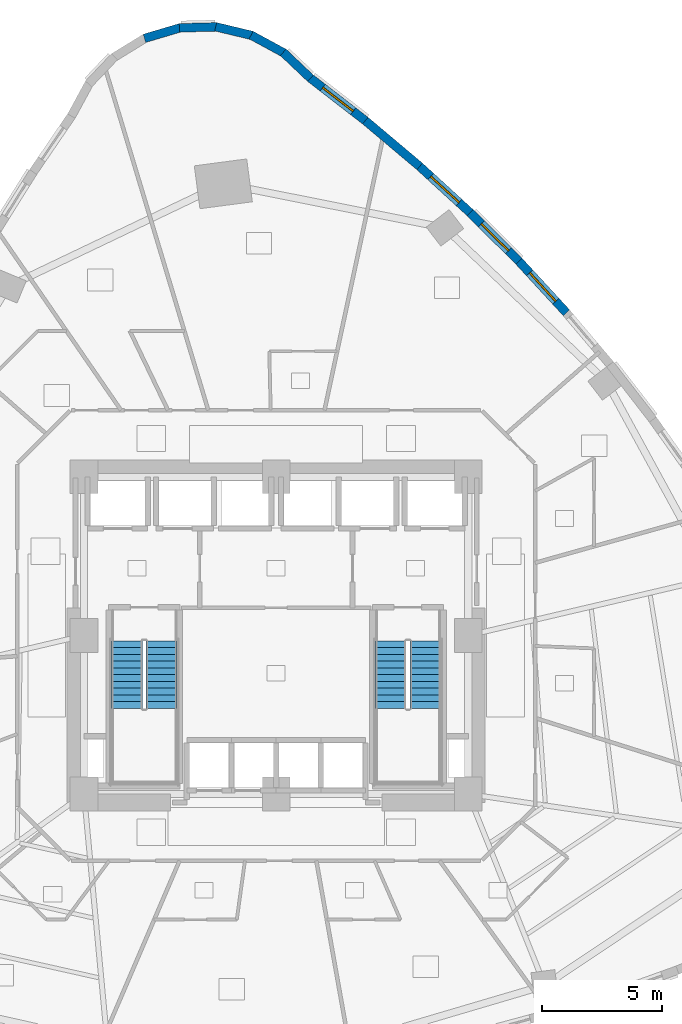
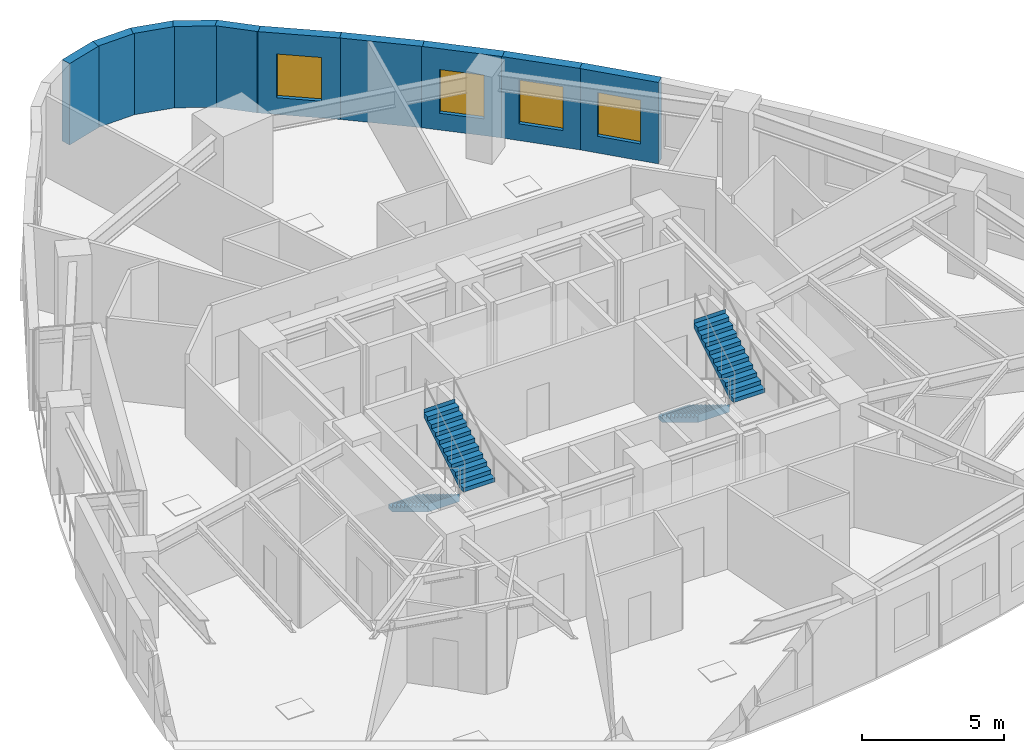
# One storey, part 9 of 12: 10 walls, 4 stair flights, 4 windows, 4 openings, 2 elements without a shape of their own.
"""IFC4 building model written with IfcOpenShell, lengths in metres."""

from ifc_helpers import new_model, si_unit, direction, frame, frame_2d, origin, place, context, subcontext, project, spatial, polyline, rectangle, outline, extrude, material, layer, layer_set, type_object, element, fill, aggregate, save


model = new_model("IFC4")

# Units and contexts
model_context = context("Model", 3, precision=1e-05, world=origin(), true_north=direction((0.0, 1.0)))
body_context = subcontext(model_context, "Body", "Model", "MODEL_VIEW")
ifc_project = project(units=[si_unit("LENGTHUNIT", "METRE"), si_unit("AREAUNIT", "SQUARE_METRE"), si_unit("VOLUMEUNIT", "CUBIC_METRE"), si_unit("PLANEANGLEUNIT", "RADIAN"), si_unit("MASSUNIT", "GRAM", prefix="KILO")], contexts=[model_context])

# Site, building, storey
site_placement = place(None, origin())
site = spatial("IfcSite", under=ifc_project, at=site_placement, CompositionType="ELEMENT")
building_placement = place(site_placement, origin())
building = spatial("IfcBuilding", under=site, at=building_placement, Name="Ndelora Gate Hotel", CompositionType="ELEMENT")
storey_placement = place(building_placement, frame((0.0, 0.0, 68.0)))
storey = spatial("IfcBuildingStorey", under=building, at=storey_placement, Name="L16", CompositionType="ELEMENT", Elevation=68.0)

# Walls
ifc_material_1 = material(Name="Clay Brick Masonry", Category="masonry")
ifc_layer = layer(ifc_material_1, 0.360107421875)
ifc_layer_set = layer_set([ifc_layer], Name="Clay Brick Masonry")
wall_type = type_object("IfcWallType", Name="WL-BRICK-360", PredefinedType="SOLIDWALL", material=ifc_layer_set)
for number, where, z_axis, x_axis, name in (
    (1, (0.29248046875, 24.2734375, 0.0), (0.0, 0.0, 1.0), (0.725361771345, -0.688367852729, 0.0), "L16 Tower Brick Pier-and-Spandrel Wall TWR-1"),
    (2, (-1.0419921875, 24.99072265625, 0.0), (0.0, 0.0, 1.0), (0.878806678118, -0.477177977799, 0.0), "L16 Tower Brick Pier-and-Spandrel Wall TWR-2"),
    (3, (-2.5166015625, 25.337890625, 0.0), (0.0, 0.0, 1.0), (0.972385884962, -0.233378856641, 0.0), "L16 Tower Brick Pier-and-Spandrel Wall TWR-3"),
):
    element("IfcWall", number, at=place(storey_placement, frame(where, z_axis=z_axis, x_axis=x_axis)), inside=storey, type_object=wall_type, Name=name, PredefinedType="SOLIDWALL", context=body_context, shape_type="SweptSolid", body=[
        extrude(rectangle(XDim=1.56396484375, YDim=0.360107421875, at=frame_2d((0.781982421875, 0.0))), origin(), (0.0, 0.0, 1.0), 3.5),
    ])
for number, where, z_axis, x_axis, name in (
    (4, (-4.031005859375, 25.2919921875, 0.0), (0.0, 0.0, 1.0), (0.999656183846, 0.026220490068, 0.0), "L16 Tower Brick Pier-and-Spandrel Wall TWR-4"),
    (5, (-5.481689453125, 24.85546875, 0.0), (0.0, 0.0, 1.0), (0.958804410816, 0.284067072714, 0.0), "L16 Tower Brick Pier-and-Spandrel Wall TWR-5"),
):
    element("IfcWall", number, at=place(storey_placement, frame(where, z_axis=z_axis, x_axis=x_axis)), inside=storey, type_object=wall_type, Name=name, PredefinedType="SOLIDWALL", context=body_context, shape_type="SweptSolid", body=[
        extrude(rectangle(XDim=1.564208984375, YDim=0.360107421875, at=frame_2d((0.7822265625, 0.0))), origin(), (0.0, 0.0, 1.0), 3.5),
    ])

# Wall, opening, window
wall_1_placement = place(storey_placement, frame((10.108642578125, 15.57568359375, 0.0), z_axis=(0.0, 0.0, 1.0), x_axis=(0.677705882399, -0.735333078925, 0.0)))
wall_1 = element("IfcWall", 6, at=wall_1_placement, inside=storey, type_object=wall_type, Name="L16 Tower Brick Pier-and-Spandrel Wall TWR-54", PredefinedType="SOLIDWALL", context=body_context, shape_type="SweptSolid", body=[
    extrude(rectangle(XDim=2.914794921875, YDim=0.360107421875, at=frame_2d((1.45751953125, 0.0))), origin(), (0.0, 0.0, 1.0), 3.5),
])
opening_1_placement = place(wall_1_placement, frame((0.657470703125, 0.0, 0.719970703125)))
opening_1 = element("IfcOpeningElement", 7, at=opening_1_placement, cuts=wall_1, Name="Opening W01", PredefinedType="OPENING", context=body_context, shape_type="SweptSolid", body=[
    extrude(rectangle(XDim=1.60009765625, YDim=1.8798828125, at=frame_2d((0.800048828125, 0.93994140625))), frame((0.0, 0.18994140625, 0.0), z_axis=(0.0, -1.0, 0.0), x_axis=(1.0, 0.0, 0.0)), (0.0, 0.0, 1.0), 0.380126953125),
])
ifc_material_2 = material(Name="Insulated Low-E Double Glazing in Bronze Aluminium Frame", Category="aluminium")
window_type = type_object("IfcWindowType", Name="WN-DEEP-1600", PartitioningType="SINGLE_PANEL", PredefinedType="WINDOW", material=ifc_material_2)
window_1_placement = place(opening_1_placement, origin())
window_1 = element("IfcWindow", 8, at=window_1_placement, inside=storey, type_object=window_type, Name="L16 Deep-Set Brick-Pier Window W01", OverallHeight=1.8798828125, OverallWidth=1.60009765625, PartitioningType="SINGLE_PANEL", PredefinedType="WINDOW", context=body_context, shape_type="SweptSolid", body=[
    extrude(rectangle(XDim=1.60009765625, YDim=1.8798828125, at=frame_2d((0.800048828125, 0.93994140625))), frame((0.0, 0.030029296875, 0.0), z_axis=(0.0, -1.0, 0.0), x_axis=(1.0, 0.0, 0.0)), (0.0, 0.0, 1.0), 0.06005859375),
])
fill(opening_1, window_1)

wall_2_placement = place(storey_placement, frame((8.071044921875, 17.6044921875, 0.0), z_axis=(0.0, 0.0, 1.0), x_axis=(0.708357483008, -0.705853863251, 0.0)))
wall_2 = element("IfcWall", 9, at=wall_2_placement, inside=storey, type_object=wall_type, Name="L16 Tower Brick Pier-and-Spandrel Wall TWR-55", PredefinedType="SOLIDWALL", context=body_context, shape_type="SweptSolid", body=[
    extrude(rectangle(XDim=2.925537109375, YDim=0.360107421875, at=frame_2d((1.462890625, 0.0))), origin(), (0.0, 0.0, 1.0), 3.5),
])
opening_2_placement = place(wall_2_placement, frame((0.66259765625, 0.0, 0.719970703125)))
opening_2 = element("IfcOpeningElement", 10, at=opening_2_placement, cuts=wall_2, Name="Opening W01", PredefinedType="OPENING", context=body_context, shape_type="SweptSolid", body=[
    extrude(rectangle(XDim=1.60009765625, YDim=1.8798828125, at=frame_2d((0.800048828125, 0.93994140625))), frame((0.0, 0.18994140625, 0.0), z_axis=(0.0, -1.0, 0.0), x_axis=(1.0, 0.0, 0.0)), (0.0, 0.0, 1.0), 0.380126953125),
])
window_2_placement = place(opening_2_placement, origin())
window_2 = element("IfcWindow", 11, at=window_2_placement, inside=storey, type_object=window_type, Name="L16 Deep-Set Brick-Pier Window W01", OverallHeight=1.8798828125, OverallWidth=1.60009765625, PartitioningType="SINGLE_PANEL", PredefinedType="WINDOW", context=body_context, shape_type="SweptSolid", body=[
    extrude(rectangle(XDim=1.60009765625, YDim=1.8798828125, at=frame_2d((0.800048828125, 0.93994140625))), frame((0.0, 0.030029296875, 0.0), z_axis=(0.0, -1.0, 0.0), x_axis=(1.0, 0.0, 0.0)), (0.0, 0.0, 1.0), 0.06005859375),
])
fill(opening_2, window_2)

wall_3_placement = place(storey_placement, frame((5.938720703125, 19.556396484375, 0.0), z_axis=(0.0, 0.0, 1.0), x_axis=(0.73735397448, -0.67550656275, 0.0)))
wall_3 = element("IfcWall", 12, at=wall_3_placement, inside=storey, type_object=wall_type, Name="L16 Tower Brick Pier-and-Spandrel Wall TWR-56", PredefinedType="SOLIDWALL", context=body_context, shape_type="SweptSolid", body=[
    extrude(rectangle(XDim=2.94091796875, YDim=0.360107421875, at=frame_2d((1.470458984375, 0.0))), origin(), (0.0, 0.0, 1.0), 3.5),
])
opening_3_placement = place(wall_3_placement, frame((0.67041015625, 0.0, 0.719970703125)))
opening_3 = element("IfcOpeningElement", 13, at=opening_3_placement, cuts=wall_3, Name="Opening W01", PredefinedType="OPENING", context=body_context, shape_type="SweptSolid", body=[
    extrude(rectangle(XDim=1.60009765625, YDim=1.8798828125, at=frame_2d((0.800048828125, 0.93994140625))), frame((0.0, 0.18994140625, 0.0), z_axis=(0.0, -1.0, 0.0), x_axis=(1.0, 0.0, 0.0)), (0.0, 0.0, 1.0), 0.380126953125),
])
window_3_placement = place(opening_3_placement, origin())
window_3 = element("IfcWindow", 14, at=window_3_placement, inside=storey, type_object=window_type, Name="L16 Deep-Set Brick-Pier Window W01", OverallHeight=1.8798828125, OverallWidth=1.60009765625, PartitioningType="SINGLE_PANEL", PredefinedType="WINDOW", context=body_context, shape_type="SweptSolid", body=[
    extrude(rectangle(XDim=1.60009765625, YDim=1.8798828125, at=frame_2d((0.800048828125, 0.93994140625))), frame((0.0, 0.030029296875, 0.0), z_axis=(0.0, -1.0, 0.0), x_axis=(1.0, 0.0, 0.0)), (0.0, 0.0, 1.0), 0.06005859375),
])
fill(opening_3, window_3)

# Wall
wall_4_placement = place(storey_placement, frame((3.71142578125, 21.431396484375, 0.0), z_axis=(0.0, 0.0, 1.0), x_axis=(0.764797881092, -0.644270285732, 0.0)))
element("IfcWall", 15, at=wall_4_placement, inside=storey, type_object=wall_type, Name="L16 Tower Brick Pier-and-Spandrel Wall TWR-57", PredefinedType="SOLIDWALL", context=body_context, shape_type="SweptSolid", body=[
    extrude(rectangle(XDim=2.96142578125, YDim=0.360107421875, at=frame_2d((1.480712890625, 0.0))), origin(), (0.0, 0.0, 1.0), 3.5),
])

# Wall, opening, window
wall_5_placement = place(storey_placement, frame((1.388916015625, 23.229248046875, 0.0), z_axis=(0.0, 0.0, 1.0), x_axis=(0.79052584694, -0.612428677742, 0.0)))
wall_5 = element("IfcWall", 16, at=wall_5_placement, inside=storey, type_object=wall_type, Name="L16 Tower Brick Pier-and-Spandrel Wall TWR-58", PredefinedType="SOLIDWALL", context=body_context, shape_type="SweptSolid", body=[
    extrude(rectangle(XDim=2.987060546875, YDim=0.360107421875, at=frame_2d((1.49365234375, 0.0))), origin(), (0.0, 0.0, 1.0), 3.5),
])
opening_4_placement = place(wall_5_placement, frame((0.693603515625, 0.0, 0.719970703125)))
opening_4 = element("IfcOpeningElement", 17, at=opening_4_placement, cuts=wall_5, Name="Opening W01", PredefinedType="OPENING", context=body_context, shape_type="SweptSolid", body=[
    extrude(rectangle(XDim=1.60009765625, YDim=1.8798828125, at=frame_2d((0.800048828125, 0.93994140625))), frame((0.0, 0.18994140625, 0.0), z_axis=(0.0, -1.0, 0.0), x_axis=(1.0, 0.0, 0.0)), (0.0, 0.0, 1.0), 0.380126953125),
])
window_4_placement = place(opening_4_placement, origin())
window_4 = element("IfcWindow", 18, at=window_4_placement, inside=storey, type_object=window_type, Name="L16 Deep-Set Brick-Pier Window W01", OverallHeight=1.8798828125, OverallWidth=1.60009765625, PartitioningType="SINGLE_PANEL", PredefinedType="WINDOW", context=body_context, shape_type="SweptSolid", body=[
    extrude(rectangle(XDim=1.60009765625, YDim=1.8798828125, at=frame_2d((0.800048828125, 0.93994140625))), frame((0.0, 0.030029296875, 0.0), z_axis=(0.0, -1.0, 0.0), x_axis=(1.0, 0.0, 0.0)), (0.0, 0.0, 1.0), 0.06005859375),
])
fill(opening_4, window_4)

# Stair, stair flights
ifc_material_3 = material(Name="Precast concrete C40/50", Category="concrete")
stair_type = type_object("IfcStairType", Name="STR-DOG-CORE", PredefinedType="HALF_TURN_STAIR", material=ifc_material_3)
stair_1_placement = place(storey_placement, origin())
stair_1 = element("IfcStair", 19, at=stair_1_placement, inside=storey, type_object=stair_type, Name="L16 Protected Core Exit Stair ST4", PredefinedType="HALF_TURN_STAIR")
stair_flight_type = type_object("IfcStairFlightType", Name="STF-PRECAST", PredefinedType="STRAIGHT", material=ifc_material_3)
stair_flight_1_placement = place(storey_placement, frame((-6.2099609375, -0.22998046875, 0.0), z_axis=(0.0, 0.0, 1.0), x_axis=(0.0, -1.0, 0.0)))
stair_flight_1 = element("IfcStairFlight", 20, at=stair_flight_1_placement, type_object=stair_flight_type, Name="ST4 flight 1", NumberOfRisers=11, NumberOfTreads=10, PredefinedType="STRAIGHT", RiserHeight=0.170454545, TreadLength=0.28, context=body_context, shape_type="SweptSolid", body=[
    extrude(outline(polyline([(-0.00048828125, 0.0), (-0.00048828125, 0.17041015625), (0.0, 0.17041015625), (0.280029296875, 0.17041015625), (0.280029296875, 0.3408203125), (0.56005859375, 0.3408203125), (0.56005859375, 0.511474609375), (0.840087890625, 0.511474609375), (0.840087890625, 0.681884765625), (1.1201171875, 0.681884765625), (1.1201171875, 0.852294921875), (1.39990234375, 0.852294921875), (1.39990234375, 1.022705078125), (1.679931640625, 1.022705078125), (1.679931640625, 1.193115234375), (1.9599609375, 1.193115234375), (1.9599609375, 1.363525390625), (2.239990234375, 1.363525390625), (2.239990234375, 1.5341796875), (2.52001953125, 1.5341796875), (2.52001953125, 1.70458984375), (2.800048828125, 1.70458984375), (2.800048828125, 1.875), (2.800537109375, 1.875), (2.800537109375, 1.695068359375), (2.800048828125, 1.529052734375), (0.288330078125, 0.0), (-0.00048828125, 0.0)])), frame((0.0, 0.64013671875, 0.0), z_axis=(0.0, -1.0, 0.0), x_axis=(1.0, 0.0, 0.0)), (0.0, 0.0, 1.0), 1.280029296875),
])
stair_flight_2_placement = place(storey_placement, frame((-4.77001953125, -3.030029296875, 1.875), z_axis=(0.0, 0.0, 1.0), x_axis=(0.0, 1.0, 0.0)))
stair_flight_2 = element("IfcStairFlight", 21, at=stair_flight_2_placement, type_object=stair_flight_type, Name="ST4 flight 2", NumberOfRisers=11, NumberOfTreads=10, PredefinedType="STRAIGHT", RiserHeight=0.170454545, TreadLength=0.28, context=body_context, shape_type="SweptSolid", body=[
    extrude(outline(polyline([(-0.00048828125, 0.0), (-0.00048828125, 0.17041015625), (0.0, 0.17041015625), (0.280029296875, 0.17041015625), (0.280029296875, 0.3408203125), (0.56005859375, 0.3408203125), (0.56005859375, 0.511474609375), (0.840087890625, 0.511474609375), (0.840087890625, 0.681884765625), (1.1201171875, 0.681884765625), (1.1201171875, 0.852294921875), (1.39990234375, 0.852294921875), (1.39990234375, 1.022705078125), (1.679931640625, 1.022705078125), (1.679931640625, 1.193115234375), (1.9599609375, 1.193115234375), (1.9599609375, 1.363525390625), (2.239990234375, 1.363525390625), (2.239990234375, 1.5341796875), (2.52001953125, 1.5341796875), (2.52001953125, 1.70458984375), (2.800048828125, 1.70458984375), (2.800048828125, 1.875), (2.800537109375, 1.875), (2.800537109375, 1.695068359375), (2.800048828125, 1.529052734375), (0.288330078125, 0.0), (-0.00048828125, 0.0)])), frame((0.0, 0.64013671875, 0.0), z_axis=(0.0, -1.0, 0.0), x_axis=(1.0, 0.0, 0.0)), (0.0, 0.0, 1.0), 1.280029296875),
])
aggregate(stair_1, [stair_flight_1, stair_flight_2])

stair_2_placement = place(storey_placement, origin())
stair_2 = element("IfcStair", 22, at=stair_2_placement, inside=storey, type_object=stair_type, Name="L16 Protected Core Exit Stair ST5", PredefinedType="HALF_TURN_STAIR")
stair_flight_3_placement = place(storey_placement, frame((4.77001953125, -0.22998046875, 0.0), z_axis=(0.0, 0.0, 1.0), x_axis=(0.0, -1.0, 0.0)))
stair_flight_3 = element("IfcStairFlight", 23, at=stair_flight_3_placement, type_object=stair_flight_type, Name="ST5 flight 1", NumberOfRisers=11, NumberOfTreads=10, PredefinedType="STRAIGHT", RiserHeight=0.170454545, TreadLength=0.28, context=body_context, shape_type="SweptSolid", body=[
    extrude(outline(polyline([(-0.00048828125, 0.0), (-0.00048828125, 0.17041015625), (0.0, 0.17041015625), (0.280029296875, 0.17041015625), (0.280029296875, 0.3408203125), (0.56005859375, 0.3408203125), (0.56005859375, 0.511474609375), (0.840087890625, 0.511474609375), (0.840087890625, 0.681884765625), (1.1201171875, 0.681884765625), (1.1201171875, 0.852294921875), (1.39990234375, 0.852294921875), (1.39990234375, 1.022705078125), (1.679931640625, 1.022705078125), (1.679931640625, 1.193115234375), (1.9599609375, 1.193115234375), (1.9599609375, 1.363525390625), (2.239990234375, 1.363525390625), (2.239990234375, 1.5341796875), (2.52001953125, 1.5341796875), (2.52001953125, 1.70458984375), (2.800048828125, 1.70458984375), (2.800048828125, 1.875), (2.800537109375, 1.875), (2.800537109375, 1.695068359375), (2.800048828125, 1.529052734375), (0.288330078125, 0.0), (-0.00048828125, 0.0)])), frame((0.0, 0.64013671875, 0.0), z_axis=(0.0, -1.0, 0.0), x_axis=(1.0, 0.0, 0.0)), (0.0, 0.0, 1.0), 1.280029296875),
])
stair_flight_4_placement = place(storey_placement, frame((6.2099609375, -3.030029296875, 1.875), z_axis=(0.0, 0.0, 1.0), x_axis=(0.0, 1.0, 0.0)))
stair_flight_4 = element("IfcStairFlight", 24, at=stair_flight_4_placement, type_object=stair_flight_type, Name="ST5 flight 2", NumberOfRisers=11, NumberOfTreads=10, PredefinedType="STRAIGHT", RiserHeight=0.170454545, TreadLength=0.28, context=body_context, shape_type="SweptSolid", body=[
    extrude(outline(polyline([(-0.00048828125, 0.0), (-0.00048828125, 0.17041015625), (0.0, 0.17041015625), (0.280029296875, 0.17041015625), (0.280029296875, 0.3408203125), (0.56005859375, 0.3408203125), (0.56005859375, 0.511474609375), (0.840087890625, 0.511474609375), (0.840087890625, 0.681884765625), (1.1201171875, 0.681884765625), (1.1201171875, 0.852294921875), (1.39990234375, 0.852294921875), (1.39990234375, 1.022705078125), (1.679931640625, 1.022705078125), (1.679931640625, 1.193115234375), (1.9599609375, 1.193115234375), (1.9599609375, 1.363525390625), (2.239990234375, 1.363525390625), (2.239990234375, 1.5341796875), (2.52001953125, 1.5341796875), (2.52001953125, 1.70458984375), (2.800048828125, 1.70458984375), (2.800048828125, 1.875), (2.800537109375, 1.875), (2.800537109375, 1.695068359375), (2.800048828125, 1.529052734375), (0.288330078125, 0.0), (-0.00048828125, 0.0)])), frame((0.0, 0.64013671875, 0.0), z_axis=(0.0, -1.0, 0.0), x_axis=(1.0, 0.0, 0.0)), (0.0, 0.0, 1.0), 1.280029296875),
])
aggregate(stair_2, [stair_flight_3, stair_flight_4])

save(model, "model.ifc")
